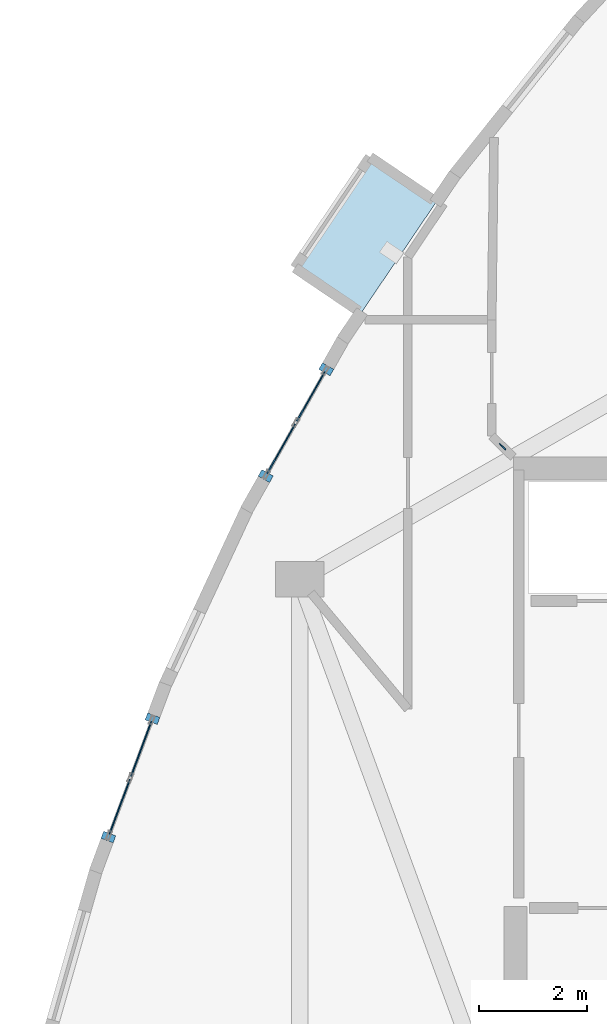
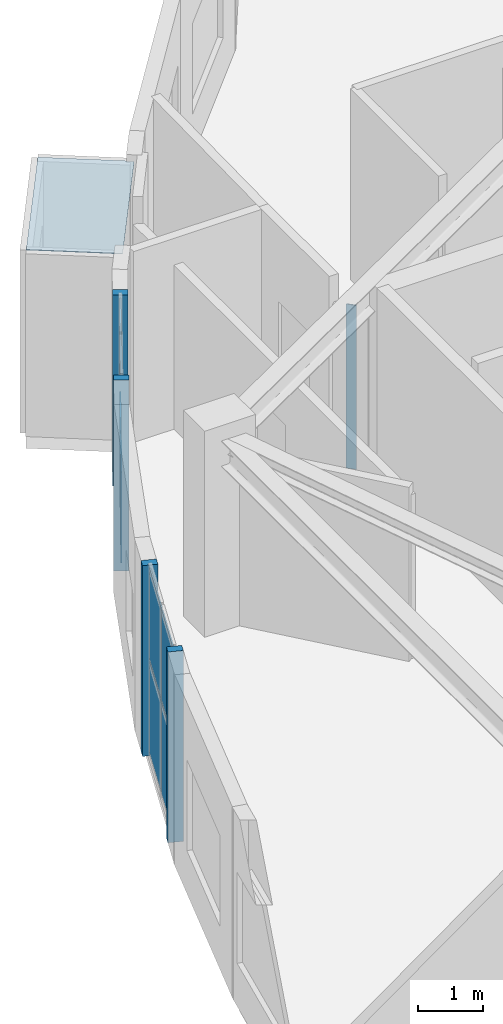
# One storey, part 10 of 16: 14 plates, 2 elements without a shape of their own.
"""IFC4 building model written with IfcOpenShell, lengths in metres."""

from ifc_helpers import new_model, si_unit, direction, frame, origin, origin_2d, place, context, subcontext, project, spatial, polyline, rectangle, outline, extrude, material, layer, layer_set, type_object, element, aggregate, save


model = new_model("IFC4")

# Units and contexts
model_context = context("Model", 3, precision=1e-05, world=origin(), true_north=direction((0.0, 1.0)))
body_context = subcontext(model_context, "Body", "Model", "MODEL_VIEW")
ifc_project = project(units=[si_unit("LENGTHUNIT", "METRE"), si_unit("AREAUNIT", "SQUARE_METRE"), si_unit("VOLUMEUNIT", "CUBIC_METRE"), si_unit("PLANEANGLEUNIT", "RADIAN"), si_unit("MASSUNIT", "GRAM", prefix="KILO")], contexts=[model_context])

# Site, building, storey
site_placement = place(None, origin())
site = spatial("IfcSite", under=ifc_project, at=site_placement, CompositionType="ELEMENT")
building_placement = place(site_placement, origin())
building = spatial("IfcBuilding", under=site, at=building_placement, Name="Miruveldt Soraemaru", CompositionType="ELEMENT")
storey_placement = place(building_placement, frame((0.0, 0.0, 271.25)))
storey = spatial("IfcBuildingStorey", under=building, at=storey_placement, Name="L74", CompositionType="ELEMENT", Elevation=271.25)

# Curtain wall, plates
ifc_material_1 = material(Name="Anodised aluminium EN AW-6063 T6", Category="aluminium")
ifc_layer_1 = layer(ifc_material_1, 0.1650390625, Name="Anodised aluminium EN AW-6063 T6", Category="aluminium")
ifc_layer_set_1 = layer_set([ifc_layer_1], Name="Anodised aluminium EN AW-6063 T6")
curtain_wall_type = type_object("IfcCurtainWallType", Name="CW-SYS-5", PredefinedType="USERDEFINED", material=ifc_layer_set_1)
curtain_wall_1_placement = place(storey_placement, origin())
curtain_wall_1 = element("IfcCurtainWall", 1, at=curtain_wall_1_placement, inside=storey, type_object=curtain_wall_type, Name="L74 Curtain Wall Bay 10", ObjectType="UNITISED GLAZING", PredefinedType="USERDEFINED")
ifc_material_2 = material(Name="Triple low-e insulated glazing", Category="glass")
ifc_layer_2 = layer(ifc_material_2, 0.02587890625, Name="Triple low-e insulated glazing", Category="glass")
ifc_layer_set_2 = layer_set([ifc_layer_2], Name="Triple low-e insulated glazing")
plate_type_1 = type_object("IfcPlateType", Name="CWP-5", PredefinedType="CURTAIN_PANEL", material=ifc_layer_set_2)
plate_1_placement = place(storey_placement, frame((31.602294921875, 53.7783203125, 0.06005859375), z_axis=(0.0, 0.0, 1.0), x_axis=(-0.493348061691, -0.869831989539, 0.0)))
plate_1 = element("IfcPlate", 2, at=plate_1_placement, type_object=plate_type_1, Name="CW-5 panel 1.1", PredefinedType="CURTAIN_PANEL", context=body_context, shape_type="SweptSolid", body=[
    extrude(rectangle(XDim=1.04541015625, YDim=0.02587890625, at=origin_2d()), origin(), (0.0, 0.0, 1.0), 1.6923828125),
])
plate_2_placement = place(storey_placement, frame((31.602294921875, 53.7783203125, 1.8125), z_axis=(0.0, 0.0, 1.0), x_axis=(-0.493348061691, -0.869831989539, 0.0)))
plate_2 = element("IfcPlate", 3, at=plate_2_placement, type_object=plate_type_1, Name="CW-5 panel 1.2", PredefinedType="CURTAIN_PANEL", context=body_context, shape_type="SweptSolid", body=[
    extrude(rectangle(XDim=1.04541015625, YDim=0.02587890625, at=origin_2d()), origin(), (0.0, 0.0, 1.0), 1.6923828125),
])
plate_3_placement = place(storey_placement, frame((31.056884765625, 52.816650390625, 0.06005859375), z_axis=(0.0, 0.0, 1.0), x_axis=(-0.493348061691, -0.869831989539, 0.0)))
plate_3 = element("IfcPlate", 4, at=plate_3_placement, type_object=plate_type_1, Name="CW-5 panel 2.1", PredefinedType="CURTAIN_PANEL", context=body_context, shape_type="SweptSolid", body=[
    extrude(rectangle(XDim=1.04541015625, YDim=0.02587890625, at=origin_2d()), origin(), (0.0, 0.0, 1.0), 1.6923828125),
])
plate_4_placement = place(storey_placement, frame((31.056884765625, 52.816650390625, 1.8125), z_axis=(0.0, 0.0, 1.0), x_axis=(-0.493348061691, -0.869831989539, 0.0)))
plate_4 = element("IfcPlate", 5, at=plate_4_placement, type_object=plate_type_1, Name="CW-5 panel 2.2", PredefinedType="CURTAIN_PANEL", context=body_context, shape_type="SweptSolid", body=[
    extrude(rectangle(XDim=1.04541015625, YDim=0.02587890625, at=origin_2d()), origin(), (0.0, 0.0, 1.0), 1.6923828125),
])
aggregate(curtain_wall_1, [plate_1, plate_2, plate_3, plate_4])

curtain_wall_2_placement = place(storey_placement, origin())
curtain_wall_2 = element("IfcCurtainWall", 6, at=curtain_wall_2_placement, inside=storey, type_object=curtain_wall_type, Name="L74 Curtain Wall Bay 12", ObjectType="UNITISED GLAZING", PredefinedType="USERDEFINED")
plate_5_placement = place(storey_placement, frame((28.46533203125, 47.26025390625, 0.06005859375), z_axis=(0.0, 0.0, 1.0), x_axis=(-0.349040502861, -0.937107639155, 0.0)))
plate_5 = element("IfcPlate", 7, at=plate_5_placement, type_object=plate_type_1, Name="CW-5 panel 1.1", PredefinedType="CURTAIN_PANEL", context=body_context, shape_type="SweptSolid", body=[
    extrude(rectangle(XDim=1.078369140625, YDim=0.02587890625, at=origin_2d()), origin(), (0.0, 0.0, 1.0), 1.6923828125),
])
plate_6_placement = place(storey_placement, frame((28.46533203125, 47.26025390625, 1.8125), z_axis=(0.0, 0.0, 1.0), x_axis=(-0.349040502861, -0.937107639155, 0.0)))
plate_6 = element("IfcPlate", 8, at=plate_6_placement, type_object=plate_type_1, Name="CW-5 panel 1.2", PredefinedType="CURTAIN_PANEL", context=body_context, shape_type="SweptSolid", body=[
    extrude(rectangle(XDim=1.078369140625, YDim=0.02587890625, at=origin_2d()), origin(), (0.0, 0.0, 1.0), 1.6923828125),
])
plate_7_placement = place(storey_placement, frame((28.068115234375, 46.193359375, 0.06005859375), z_axis=(0.0, 0.0, 1.0), x_axis=(-0.349040502861, -0.937107639155, 0.0)))
plate_7 = element("IfcPlate", 9, at=plate_7_placement, type_object=plate_type_1, Name="CW-5 panel 2.1", PredefinedType="CURTAIN_PANEL", context=body_context, shape_type="SweptSolid", body=[
    extrude(rectangle(XDim=1.078369140625, YDim=0.02587890625, at=origin_2d()), origin(), (0.0, 0.0, 1.0), 1.6923828125),
])
plate_8_placement = place(storey_placement, frame((28.068115234375, 46.193359375, 1.8125), z_axis=(0.0, 0.0, 1.0), x_axis=(-0.349040502861, -0.937107639155, 0.0)))
plate_8 = element("IfcPlate", 10, at=plate_8_placement, type_object=plate_type_1, Name="CW-5 panel 2.2", PredefinedType="CURTAIN_PANEL", context=body_context, shape_type="SweptSolid", body=[
    extrude(rectangle(XDim=1.078369140625, YDim=0.02587890625, at=origin_2d()), origin(), (0.0, 0.0, 1.0), 1.6923828125),
])
aggregate(curtain_wall_2, [plate_5, plate_6, plate_7, plate_8])

# Plates
ifc_layer_3 = layer(ifc_material_1, 0.030029296875, Name="Anodised aluminium EN AW-6063 T6", Category="aluminium")
ifc_layer_set_3 = layer_set([ifc_layer_3], Name="Anodised aluminium EN AW-6063 T6")
plate_type_2 = type_object("IfcPlateType", Name="PLT-JAMB-30", PredefinedType="SHEET", material=ifc_layer_set_3)
for number, where, z_axis, x_axis, name in (
    (11, (31.889892578125, 54.28515625, 0.0), (0.0, 0.0, 1.0), (-0.493349905778, -0.869830943614, 0.0), "L74 Curtain Wall Jamb Closure Trim 10JL"),
    (12, (30.76953125, 52.309814453125, 0.0), (0.0, 0.0, 1.0), (-0.493349905778, -0.869830943614, 0.0), "L74 Curtain Wall Jamb Closure Trim 10JR"),
    (13, (28.674560546875, 47.822021484375, 0.0), (0.0, 0.0, 1.0), (-0.34906275922, -0.937099349122, 0.0), "L74 Curtain Wall Jamb Closure Trim 12JL"),
    (14, (27.85888671875, 45.6318359375, 0.0), (0.0, 0.0, 1.0), (-0.34906275922, -0.937099349122, 0.0), "L74 Curtain Wall Jamb Closure Trim 12JR"),
):
    element("IfcPlate", number, at=place(storey_placement, frame(where, z_axis=z_axis, x_axis=x_axis)), inside=storey, type_object=plate_type_2, Name=name, PredefinedType="SHEET", context=body_context, shape_type="SweptSolid", body=[
        extrude(rectangle(XDim=0.139892578125, YDim=0.239990234375, at=origin_2d()), origin(), (0.0, 0.0, 1.0), 3.56494140625),
    ])
ifc_layer_4 = layer(ifc_material_1, 0.02001953125, Name="Anodised aluminium EN AW-6063 T6", Category="aluminium")
ifc_layer_set_4 = layer_set([ifc_layer_4], Name="Anodised aluminium EN AW-6063 T6")
plate_type_3 = type_object("IfcPlateType", Name="PLT-PART-TRIM", PredefinedType="SHEET", material=ifc_layer_set_4)
plate_9_placement = place(storey_placement, frame((35.14990234375, 52.85498046875, 0.0), z_axis=(0.0, 0.0, 1.0), x_axis=(0.71605832497, -0.698040453872, 0.0)))
element("IfcPlate", 15, at=plate_9_placement, inside=storey, type_object=plate_type_3, Name="L74 Partition Step Corner Trim Plate 003", PredefinedType="SHEET", context=body_context, shape_type="SweptSolid", body=[
    extrude(rectangle(XDim=0.159912109375, YDim=0.02001953125, at=origin_2d()), origin(), (0.0, 0.0, 1.0), 3.06494140625),
])
ifc_material_3 = material(Name="Standing-seam titanium-zinc sheet", Category="aluminium")
ifc_layer_5 = layer(ifc_material_3, 0.011962890625, Name="Standing-seam titanium-zinc sheet", Category="aluminium")
ifc_layer_set_5 = layer_set([ifc_layer_5], Name="Standing-seam titanium-zinc sheet")
plate_type_4 = type_object("IfcPlateType", Name="PLT-ZINC-12", PredefinedType="SHEET", material=ifc_layer_set_5)
plate_10_placement = place(storey_placement, frame((0.0, 0.0, 3.4150390625)))
element("IfcPlate", 16, at=plate_10_placement, inside=storey, type_object=plate_type_4, Name="L74 Bay Window Zinc Hood Sheet 1", PredefinedType="SHEET", context=body_context, shape_type="SweptSolid", body=[
    extrude(outline(polyline([(33.924072265625, 57.3798828125), (32.537109375, 55.332275390625), (31.311767578125, 56.162353515625), (32.69873046875, 58.2099609375), (33.924072265625, 57.3798828125)])), origin(), (0.0, 0.0, 1.0), 0.011962890625),
])

save(model, "model.ifc")
